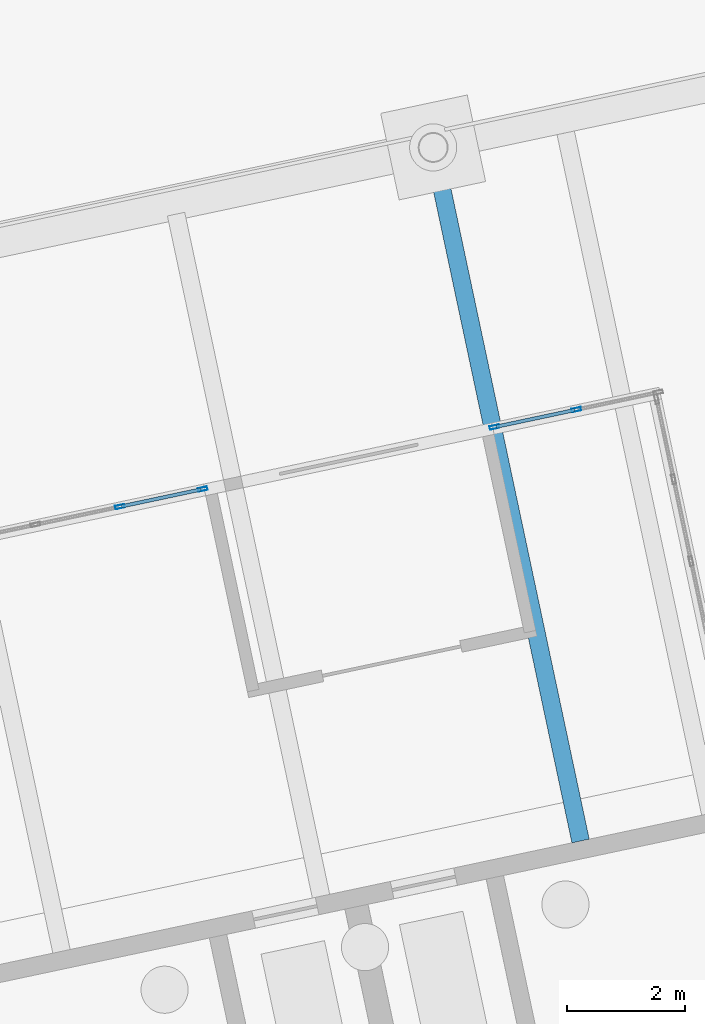
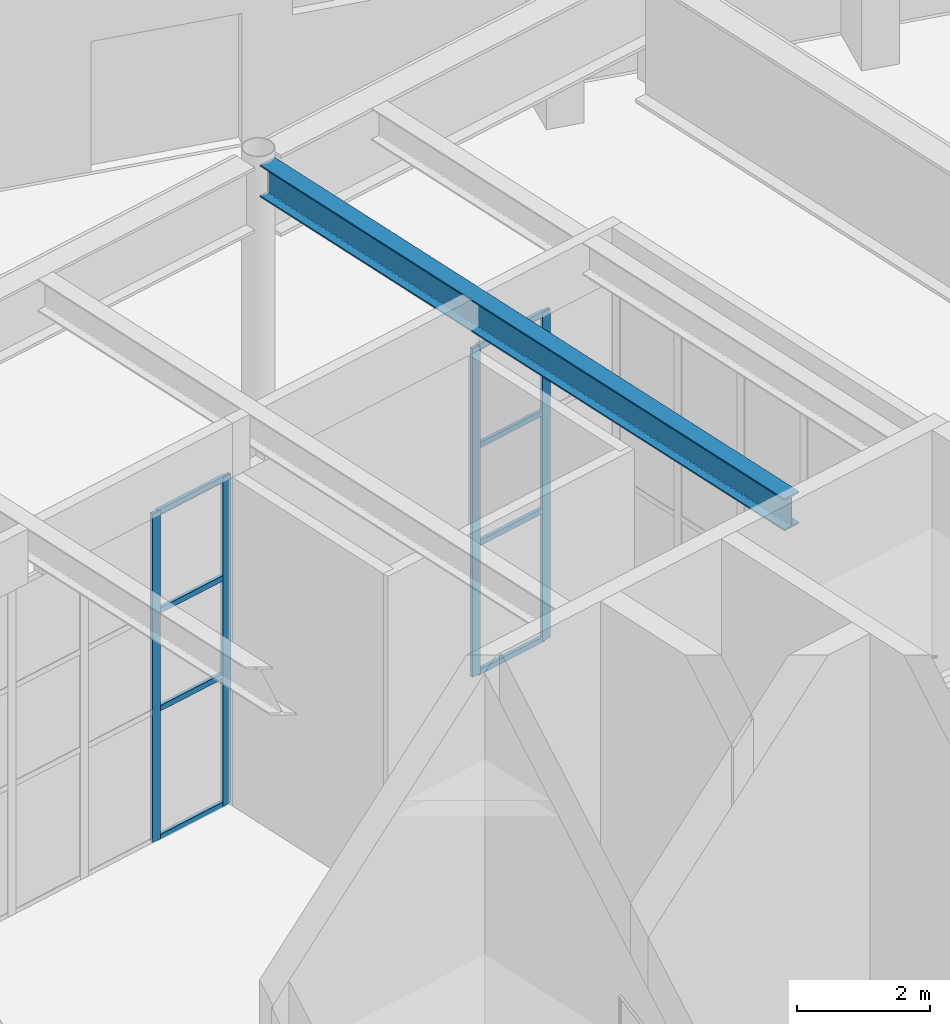
# One storey, part 120 of 239: 12 members, 1 beam, 2 elements without a shape of their own.
"""IFC4 building model written with IfcOpenShell, lengths in metres."""

from ifc_helpers import new_model, si_unit, direction, frame, origin, origin_2d, place, context, subcontext, project, spatial, hollow_rectangle, i_section, extrude, material, material_profile, profile_set, type_object, element, aggregate, save


model = new_model("IFC4")

# Units and contexts
model_context = context("Model", 3, precision=1e-05, world=origin(), true_north=direction((0.0, 1.0)))
body_context = subcontext(model_context, "Body", "Model", "MODEL_VIEW")
ifc_project = project(units=[si_unit("LENGTHUNIT", "METRE"), si_unit("AREAUNIT", "SQUARE_METRE"), si_unit("VOLUMEUNIT", "CUBIC_METRE"), si_unit("PLANEANGLEUNIT", "RADIAN"), si_unit("MASSUNIT", "GRAM", prefix="KILO")], contexts=[model_context])

# Site, building, storey
site_placement = place(None, origin())
site = spatial("IfcSite", under=ifc_project, at=site_placement, CompositionType="ELEMENT")
building_placement = place(site_placement, origin())
building = spatial("IfcBuilding", under=site, at=building_placement, Name="Okhra Congress Centre", CompositionType="ELEMENT")
storey_placement = place(building_placement, origin())
storey = spatial("IfcBuildingStorey", under=building, at=storey_placement, Name="L00", CompositionType="ELEMENT", Elevation=0.0)

# Curtain wall, members
ifc_material_1 = material(Name="Aluminium curtain wall, triple glazing", Category="aluminium")
curtain_wall_type = type_object("IfcCurtainWallType", Name="Curtain wall 1500 module", PredefinedType="NOTDEFINED", material=ifc_material_1)
curtain_wall_1_placement = place(storey_placement, origin())
curtain_wall_1 = element("IfcCurtainWall", 1, at=curtain_wall_1_placement, inside=storey, type_object=curtain_wall_type, Name="Ground curtain wall N10", PredefinedType="NOTDEFINED")
ifc_material_2 = material(Name="Aluminium alloy EN AW-6063 T66", Category="aluminium")
ifc_material_profile_1 = material_profile(ifc_material_2, hollow_rectangle(XDim=0.06005859375, YDim=0.159912109375, WallThickness=0.00390625, at=origin_2d()), Name="RHS 60x160x4")
ifc_profile_set_1 = profile_set([ifc_material_profile_1], Name="Aluminium alloy EN AW-6063 T66")
member_type_1 = type_object("IfcMemberType", Name="Curtain wall mullion 60x160", PredefinedType="MULLION", material=ifc_profile_set_1)
member_1_placement = place(storey_placement, frame((200.3642578125, 76.00244140625, 0.0), z_axis=(0.0, 0.0, 1.0), x_axis=(-0.207911690818, 0.978147600734, 0.0)))
member_1 = element("IfcMember", 2, at=member_1_placement, type_object=member_type_1, Name="CW7 mullion 15", PredefinedType="MULLION", context=body_context, shape_type="SweptSolid", body=[
    extrude(hollow_rectangle(XDim=0.06005859375, YDim=0.159912109375, WallThickness=0.00390625, at=origin_2d()), origin(), (0.0, 0.0, 1.0), 6.050048828125),
])
member_2_placement = place(storey_placement, frame((201.76708984375, 76.300537109375, 0.0), z_axis=(0.0, 0.0, 1.0), x_axis=(-0.207911690818, 0.978147600734, 0.0)))
member_2 = element("IfcMember", 3, at=member_2_placement, type_object=member_type_1, Name="CW7 mullion 16", PredefinedType="MULLION", context=body_context, shape_type="SweptSolid", body=[
    extrude(hollow_rectangle(XDim=0.06005859375, YDim=0.159912109375, WallThickness=0.00390625, at=origin_2d()), origin(), (0.0, 0.0, 1.0), 6.050048828125),
])

curtain_wall_2_placement = place(storey_placement, origin())
curtain_wall_2 = element("IfcCurtainWall", 4, at=curtain_wall_2_placement, inside=storey, type_object=curtain_wall_type, Name="Ground curtain wall N11", PredefinedType="NOTDEFINED")
member_3_placement = place(storey_placement, frame((206.716552734375, 77.3525390625, 0.0), z_axis=(0.0, 0.0, 1.0), x_axis=(-0.207911690818, 0.978147600734, 0.0)))
member_3 = element("IfcMember", 5, at=member_3_placement, type_object=member_type_1, Name="CW7 mullion 1", PredefinedType="MULLION", context=body_context, shape_type="SweptSolid", body=[
    extrude(hollow_rectangle(XDim=0.06005859375, YDim=0.159912109375, WallThickness=0.00390625, at=origin_2d()), origin(), (0.0, 0.0, 1.0), 6.050048828125),
])
member_4_placement = place(storey_placement, frame((208.10546875, 77.64794921875, 0.0), z_axis=(0.0, 0.0, 1.0), x_axis=(-0.207911690818, 0.978147600734, 0.0)))
member_4 = element("IfcMember", 6, at=member_4_placement, type_object=member_type_1, Name="CW7 mullion 2", PredefinedType="MULLION", context=body_context, shape_type="SweptSolid", body=[
    extrude(hollow_rectangle(XDim=0.06005859375, YDim=0.159912109375, WallThickness=0.00390625, at=origin_2d()), origin(), (0.0, 0.0, 1.0), 6.050048828125),
])

# Member
ifc_material_profile_2 = material_profile(ifc_material_2, hollow_rectangle(XDim=0.06005859375, YDim=0.10009765625, WallThickness=0.00390625, at=origin_2d()), Name="RHS 60x100x4")
ifc_profile_set_2 = profile_set([ifc_material_profile_2], Name="Aluminium alloy EN AW-6063 T66")
member_type_2 = type_object("IfcMemberType", Name="Curtain wall transom 60x100", PredefinedType="USERDEFINED", material=ifc_profile_set_2)
member_5_placement = place(storey_placement, frame((200.393798828125, 76.008544921875, 0.030029296875), z_axis=(0.978115931365, 0.208060627725, 0.0), x_axis=(-0.208060627725, 0.978115931365, 0.0)))
member_5 = element("IfcMember", 7, at=member_5_placement, type_object=member_type_2, Name="CW7 transom 15.1", ObjectType="TRANSOM", PredefinedType="USERDEFINED", context=body_context, shape_type="SweptSolid", body=[
    extrude(hollow_rectangle(XDim=0.06005859375, YDim=0.10009765625, WallThickness=0.00390625, at=origin_2d()), origin(), (0.0, 0.0, 1.0), 1.3740234375),
])

member_6_placement = place(storey_placement, frame((200.393798828125, 76.008544921875, 2.39990234375), z_axis=(0.978115931365, 0.208060627725, 0.0), x_axis=(-0.208060627725, 0.978115931365, 0.0)))
member_6 = element("IfcMember", 8, at=member_6_placement, type_object=member_type_2, Name="CW7 transom 15.2", ObjectType="TRANSOM", PredefinedType="USERDEFINED", context=body_context, shape_type="SweptSolid", body=[
    extrude(hollow_rectangle(XDim=0.06005859375, YDim=0.10009765625, WallThickness=0.00390625, at=origin_2d()), origin(), (0.0, 0.0, 1.0), 1.3740234375),
])

member_7_placement = place(storey_placement, frame((200.393798828125, 76.008544921875, 4.199951171875), z_axis=(0.978115931365, 0.208060627725, 0.0), x_axis=(-0.208060627725, 0.978115931365, 0.0)))
member_7 = element("IfcMember", 9, at=member_7_placement, type_object=member_type_2, Name="CW7 transom 15.3", ObjectType="TRANSOM", PredefinedType="USERDEFINED", context=body_context, shape_type="SweptSolid", body=[
    extrude(hollow_rectangle(XDim=0.06005859375, YDim=0.10009765625, WallThickness=0.00390625, at=origin_2d()), origin(), (0.0, 0.0, 1.0), 1.3740234375),
])

member_8_placement = place(storey_placement, frame((200.393798828125, 76.008544921875, 6.02001953125), z_axis=(0.978115931365, 0.208060627725, 0.0), x_axis=(-0.208060627725, 0.978115931365, 0.0)))
member_8 = element("IfcMember", 10, at=member_8_placement, type_object=member_type_2, Name="CW7 transom 15.4", ObjectType="TRANSOM", PredefinedType="USERDEFINED", context=body_context, shape_type="SweptSolid", body=[
    extrude(hollow_rectangle(XDim=0.06005859375, YDim=0.10009765625, WallThickness=0.00390625, at=origin_2d()), origin(), (0.0, 0.0, 1.0), 1.3740234375),
])

aggregate(curtain_wall_1, [member_1, member_2, member_5, member_6, member_7, member_8])

member_9_placement = place(storey_placement, frame((206.745849609375, 77.35888671875, 0.030029296875), z_axis=(0.978155657229, 0.207873784377, 0.0), x_axis=(-0.207873784377, 0.978155657229, 0.0)))
member_9 = element("IfcMember", 11, at=member_9_placement, type_object=member_type_2, Name="CW7 transom 1.1", ObjectType="TRANSOM", PredefinedType="USERDEFINED", context=body_context, shape_type="SweptSolid", body=[
    extrude(hollow_rectangle(XDim=0.06005859375, YDim=0.10009765625, WallThickness=0.00390625, at=origin_2d()), origin(), (0.0, 0.0, 1.0), 1.360107421875),
])

member_10_placement = place(storey_placement, frame((206.745849609375, 77.35888671875, 2.39990234375), z_axis=(0.978155657229, 0.207873784377, 0.0), x_axis=(-0.207873784377, 0.978155657229, 0.0)))
member_10 = element("IfcMember", 12, at=member_10_placement, type_object=member_type_2, Name="CW7 transom 1.2", ObjectType="TRANSOM", PredefinedType="USERDEFINED", context=body_context, shape_type="SweptSolid", body=[
    extrude(hollow_rectangle(XDim=0.06005859375, YDim=0.10009765625, WallThickness=0.00390625, at=origin_2d()), origin(), (0.0, 0.0, 1.0), 1.360107421875),
])

member_11_placement = place(storey_placement, frame((206.745849609375, 77.35888671875, 4.199951171875), z_axis=(0.978155657229, 0.207873784377, 0.0), x_axis=(-0.207873784377, 0.978155657229, 0.0)))
member_11 = element("IfcMember", 13, at=member_11_placement, type_object=member_type_2, Name="CW7 transom 1.3", ObjectType="TRANSOM", PredefinedType="USERDEFINED", context=body_context, shape_type="SweptSolid", body=[
    extrude(hollow_rectangle(XDim=0.06005859375, YDim=0.10009765625, WallThickness=0.00390625, at=origin_2d()), origin(), (0.0, 0.0, 1.0), 1.360107421875),
])

member_12_placement = place(storey_placement, frame((206.745849609375, 77.35888671875, 6.02001953125), z_axis=(0.978155657229, 0.207873784377, 0.0), x_axis=(-0.207873784377, 0.978155657229, 0.0)))
member_12 = element("IfcMember", 14, at=member_12_placement, type_object=member_type_2, Name="CW7 transom 1.4", ObjectType="TRANSOM", PredefinedType="USERDEFINED", context=body_context, shape_type="SweptSolid", body=[
    extrude(hollow_rectangle(XDim=0.06005859375, YDim=0.10009765625, WallThickness=0.00390625, at=origin_2d()), origin(), (0.0, 0.0, 1.0), 1.360107421875),
])

aggregate(curtain_wall_2, [member_3, member_4, member_9, member_10, member_11, member_12])

# Beam
ifc_material_3 = material(Name="Steel S355J2", Category="steel")
ifc_material_profile_3 = material_profile(ifc_material_3, i_section(OverallWidth=0.300048828125, OverallDepth=0.590087890625, WebThickness=0.012939453125, FlangeThickness=0.02490234375, FilletRadius=0.027099609375, at=origin_2d()), Name="HE 600 A")
ifc_profile_set_3 = profile_set([ifc_material_profile_3], Name="Steel S355J2")
beam_type = type_object("IfcBeamType", Name="Floor beam HE 600 A", PredefinedType="BEAM", material=ifc_profile_set_3)
beam_placement = place(storey_placement, frame((208.177734375, 70.3330078125, 6.7548828125), z_axis=(-0.207905918374, 0.978148827687, 0.0), x_axis=(-0.978148827687, -0.207905918374, 0.0)))
element("IfcBeam", 15, at=beam_placement, inside=storey, type_object=beam_type, Name="Floor beam 34.2", PredefinedType="BEAM", context=body_context, shape_type="SweptSolid", body=[
    extrude(i_section(OverallWidth=0.300048828125, OverallDepth=0.590087890625, WebThickness=0.012939453125, FlangeThickness=0.02490234375, FilletRadius=0.027099609375, at=origin_2d()), origin(), (0.0, 0.0, 1.0), 11.824951171875),
])

save(model, "model.ifc")
